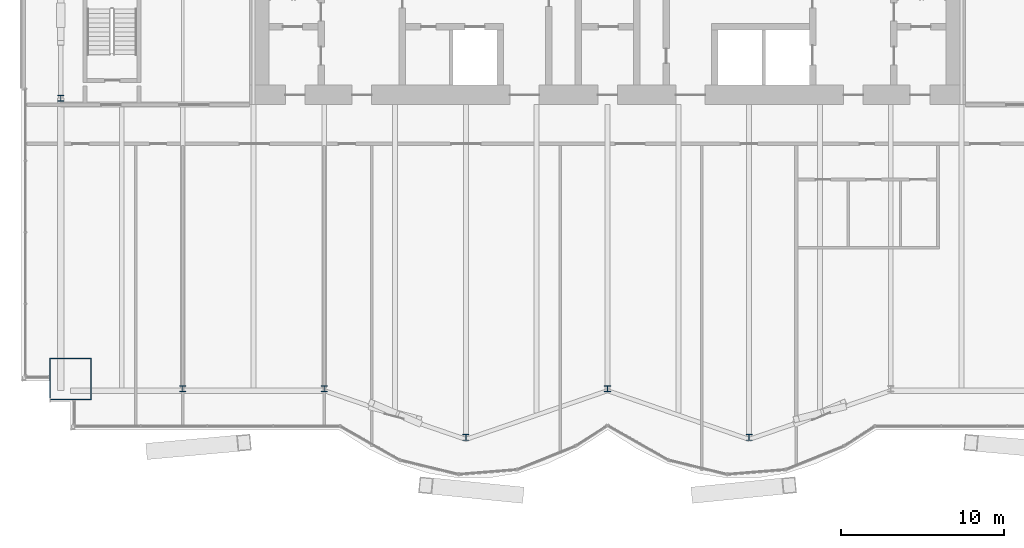
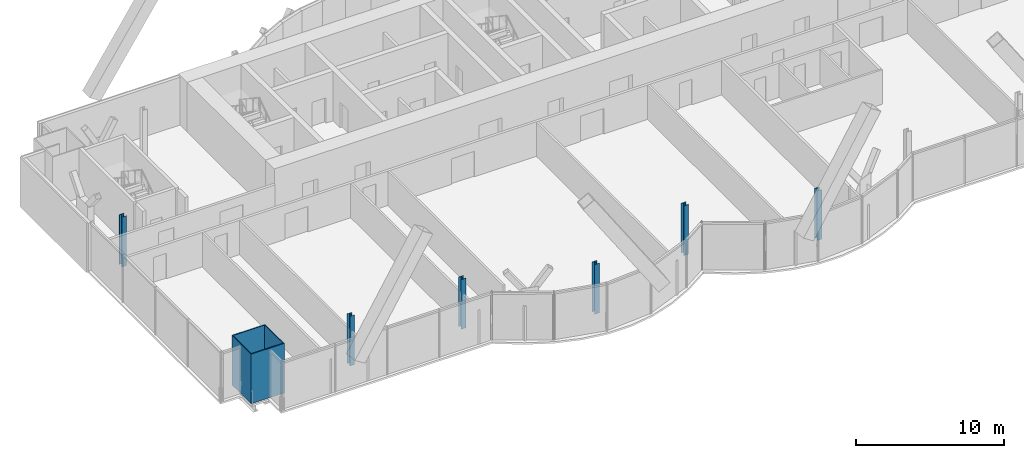
# One storey, part 1 of 21: 7 columns.
"""IFC4 building model written with IfcOpenShell, lengths in metres."""

from ifc_helpers import new_model, si_unit, direction, frame, origin, origin_2d, place, context, subcontext, project, spatial, hollow_rectangle, i_section, extrude, material, material_profile, profile_set, type_object, element, save


model = new_model("IFC4")

# Units and contexts
model_context = context("Model", 3, precision=1e-05, world=origin(), true_north=direction((0.0, 1.0)))
body_context = subcontext(model_context, "Body", "Model", "MODEL_VIEW")
ifc_project = project(units=[si_unit("LENGTHUNIT", "METRE"), si_unit("AREAUNIT", "SQUARE_METRE"), si_unit("VOLUMEUNIT", "CUBIC_METRE"), si_unit("PLANEANGLEUNIT", "RADIAN"), si_unit("MASSUNIT", "GRAM", prefix="KILO")], contexts=[model_context])

# Site, building, storey
site_placement = place(None, origin())
site = spatial("IfcSite", under=ifc_project, at=site_placement, CompositionType="ELEMENT")
building_placement = place(site_placement, origin())
building = spatial("IfcBuilding", under=site, at=building_placement, Name="Bicima Exchange Tower", CompositionType="ELEMENT")
storey_placement = place(building_placement, frame((0.0, 0.0, 195.0)))
storey = spatial("IfcBuildingStorey", under=building, at=storey_placement, Name="L43", CompositionType="ELEMENT", Elevation=195.0)

# Columns
ifc_material_1 = material(Name="Steel ASTM A572 Gr 50", Category="steel")
ifc_material_profile_1 = material_profile(ifc_material_1, hollow_rectangle(XDim=2.60009765625, YDim=2.60009765625, WallThickness=0.070068359375, at=origin_2d()))
ifc_profile_set_1 = profile_set([ifc_material_profile_1], Name="Steel ASTM A572 Gr 50")
column_type_1 = type_object("IfcColumnType", Name="Mega column BOX 2600x2600x70", PredefinedType="COLUMN", material=ifc_profile_set_1)
column_placement = place(storey_placement, frame((-33.0, -29.85009765625, 0.0), z_axis=(0.0, 0.0, 1.0), x_axis=(1.0, 0.0, 0.0)))
element("IfcColumn", 1, at=column_placement, inside=storey, type_object=column_type_1, Name="Mega column mega-33.0f", PredefinedType="COLUMN", context=body_context, shape_type="SweptSolid", body=[
    extrude(hollow_rectangle(XDim=2.60009765625, YDim=2.60009765625, WallThickness=0.070068359375, at=origin_2d()), origin(), (0.0, 0.0, 1.0), 4.10009765625),
])
ifc_material_2 = material(Name="Steel ASTM A992 Gr 50", Category="steel")
ifc_material_profile_2 = material_profile(ifc_material_2, i_section(OverallWidth=0.373291015625, OverallDepth=0.373291015625, WebThickness=0.016357421875, FlangeThickness=0.026123046875, at=origin_2d()))
ifc_profile_set_2 = profile_set([ifc_material_profile_2], Name="Steel ASTM A992 Gr 50")
column_type_2 = type_object("IfcColumnType", Name="Perimeter column W14x132", PredefinedType="COLUMN", material=ifc_profile_set_2)
for number, where, z_axis, x_axis, name in (
    (2, (-26.10009765625, -30.449951171875, 0.0), (0.0, 0.0, 1.0), (1.0, 0.0, 0.0), "Perimeter column grav-26.1f"),
    (3, (-17.39990234375, -30.449951171875, 0.0), (0.0, 0.0, 1.0), (1.0, 0.0, 0.0), "Perimeter column grav-17.4f"),
    (4, (-8.699951171875, -33.441162109375, 0.0), (0.0, 0.0, 1.0), (1.0, 0.0, 0.0), "Perimeter column grav-8.7f"),
    (5, (0.0, -30.449951171875, 0.0), (0.0, 0.0, 1.0), (1.0, 0.0, 0.0), "Perimeter column grav-0.0f"),
    (6, (8.699951171875, -33.441162109375, 0.0), (0.0, 0.0, 1.0), (1.0, 0.0, 0.0), "Perimeter column grav+8.7f"),
    (7, (-33.60009765625, -12.60009765625, 0.0), (0.0, 0.0, 1.0), (1.0, 0.0, 0.0), "End column end-33.6e"),
):
    element("IfcColumn", number, at=place(storey_placement, frame(where, z_axis=z_axis, x_axis=x_axis)), inside=storey, type_object=column_type_2, Name=name, PredefinedType="COLUMN", context=body_context, shape_type="SweptSolid", body=[
        extrude(i_section(OverallWidth=0.373291015625, OverallDepth=0.373291015625, WebThickness=0.016357421875, FlangeThickness=0.026123046875, at=origin_2d()), origin(), (0.0, 0.0, 1.0), 4.10009765625),
    ])

save(model, "model.ifc")
